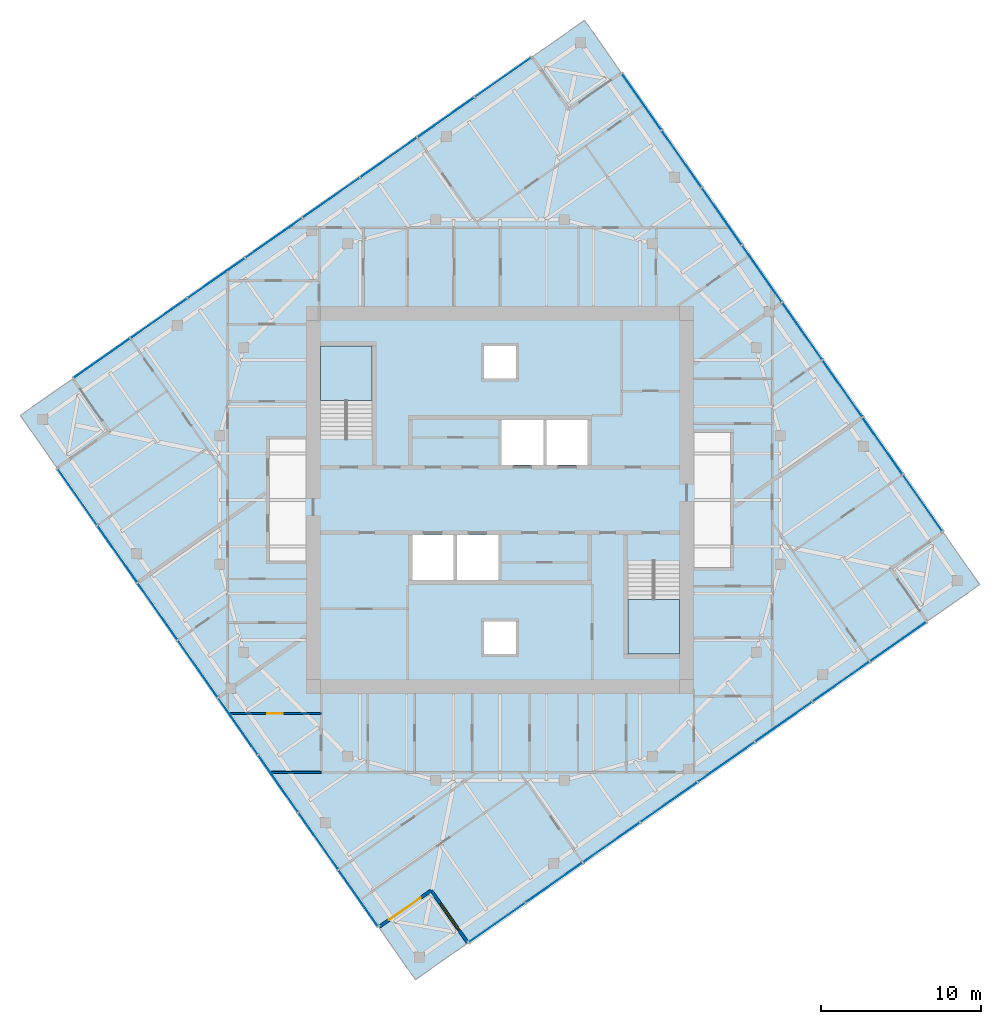
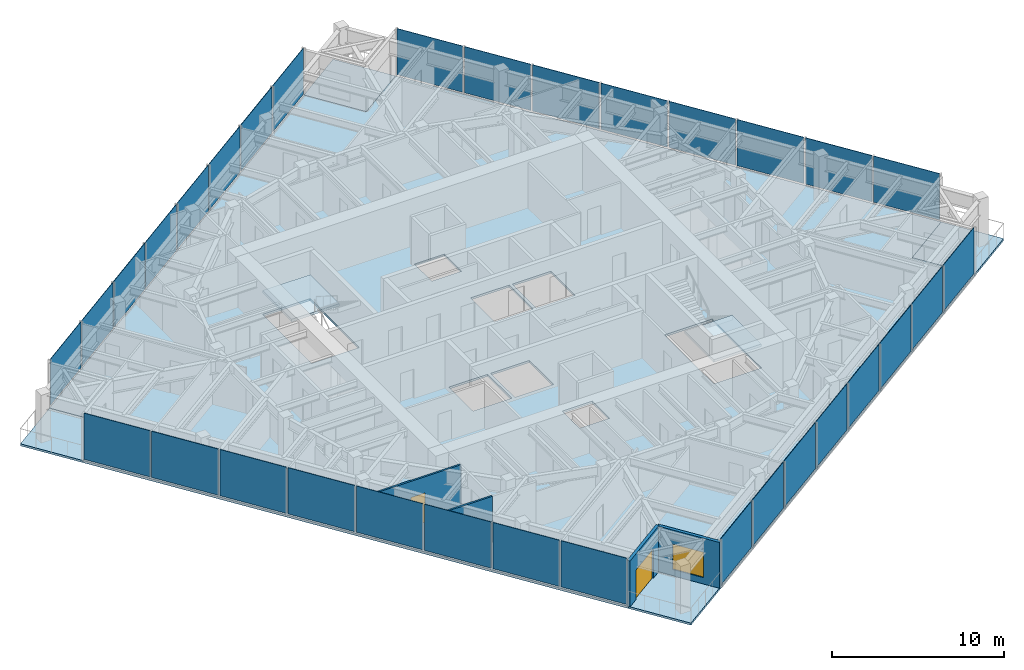
# One storey, part 6 of 12: 32 plates, 7 slabs, 4 walls, 2 doors, 1 window, 3 openings, 6 elements without a shape of their own.
"""IFC4 building model written with IfcOpenShell, lengths in metres."""

from ifc_helpers import new_model, si_unit, direction, frame, frame_2d, origin, origin_2d, place, context, subcontext, project, spatial, polyline, rectangle, outline, extrude, material, layer, layer_set, type_object, element, fill, aggregate, save


model = new_model("IFC4")

# Units and contexts
model_context = context("Model", 3, precision=1e-05, world=origin(), true_north=direction((0.0, 1.0)))
body_context = subcontext(model_context, "Body", "Model", "MODEL_VIEW")
ifc_project = project(units=[si_unit("LENGTHUNIT", "METRE"), si_unit("AREAUNIT", "SQUARE_METRE"), si_unit("VOLUMEUNIT", "CUBIC_METRE"), si_unit("PLANEANGLEUNIT", "RADIAN"), si_unit("MASSUNIT", "GRAM", prefix="KILO")], contexts=[model_context])

# Site, building, storey
site_placement = place(None, origin())
site = spatial("IfcSite", under=ifc_project, at=site_placement, CompositionType="ELEMENT")
building_placement = place(site_placement, origin())
building = spatial("IfcBuilding", under=site, at=building_placement, Name="Torsade Residences", CompositionType="ELEMENT")
storey_placement = place(building_placement, frame((0.0, 0.0, 240.39990234375)))
storey = spatial("IfcBuildingStorey", under=building, at=storey_placement, Name="L66", CompositionType="ELEMENT", Elevation=240.39990234375)

# Slab
ifc_material_1 = material(Name="Concrete 40 MPa", Category="concrete")
ifc_layer_1 = layer(ifc_material_1, 0.14990234375)
ifc_layer_set_1 = layer_set([ifc_layer_1], Name="Concrete 40 MPa")
slab_type_1 = type_object("IfcSlabType", Name="COMPOSITE FLOOR SLAB 150", PredefinedType="FLOOR", material=ifc_layer_set_1)
slab_1_placement = place(storey_placement, frame((0.0, 0.0, -0.14990234375)))
element("IfcSlab", 1, at=slab_1_placement, inside=storey, type_object=slab_type_1, Name="Floor slab L66", PredefinedType="FLOOR", context=body_context, shape_type="SweptSolid", body=[
    extrude(outline(polyline([(37.996826171875, 2.3505859375), (66.6669921875, 22.42578125), (64.372802734375, 25.702392578125), (67.6494140625, 27.996826171875), (47.57421875, 56.6669921875), (44.297607421875, 54.372802734375), (42.003173828125, 57.6494140625), (13.3330078125, 37.57421875), (15.627197265625, 34.297607421875), (12.3505859375, 32.003173828125), (32.42578125, 3.3330078125), (35.702392578125, 5.627197265625), (37.996826171875, 2.3505859375)]), holes=[polyline([(51.199951171875, 26.1201171875), (48.0, 26.1201171875), (48.0, 20.39990234375), (51.199951171875, 20.39990234375), (51.199951171875, 26.1201171875)]), polyline([(45.5, 35.0), (42.89990234375, 35.0), (42.89990234375, 32.199951171875), (45.5, 32.199951171875), (45.5, 35.0)]), polyline([(42.699951171875, 35.0), (40.10009765625, 35.0), (40.10009765625, 32.199951171875), (42.699951171875, 32.199951171875), (42.699951171875, 35.0)]), polyline([(41.0, 22.39990234375), (39.0, 22.39990234375), (39.0, 20.39990234375), (41.0, 20.39990234375), (41.0, 22.39990234375)]), polyline([(41.0, 39.60009765625), (39.0, 39.60009765625), (39.0, 37.60009765625), (41.0, 37.60009765625), (41.0, 39.60009765625)]), polyline([(39.89990234375, 27.800048828125), (37.300048828125, 27.800048828125), (37.300048828125, 25.0), (39.89990234375, 25.0), (39.89990234375, 27.800048828125)]), polyline([(37.10009765625, 27.800048828125), (34.5, 27.800048828125), (34.5, 25.0), (37.10009765625, 25.0), (37.10009765625, 27.800048828125)]), polyline([(32.0, 39.60009765625), (28.800048828125, 39.60009765625), (28.800048828125, 33.8798828125), (32.0, 33.8798828125), (32.0, 39.60009765625)])]), origin(), (0.0, 0.0, 1.0), 0.14990234375),
])

# Curtain wall, plates
ifc_material_2 = material(Name="Aluminium and glass", Category="aluminium")
curtain_wall_type = type_object("IfcCurtainWallType", Name="FRITTED GLASS CURTAIN WALL HIGH ZONE", PredefinedType="NOTDEFINED", material=ifc_material_2)
curtain_wall_1_placement = place(storey_placement, origin())
curtain_wall_1 = element("IfcCurtainWall", 2, at=curtain_wall_1_placement, inside=storey, type_object=curtain_wall_type, Name="Curtain wall L66 face 1", PredefinedType="NOTDEFINED")
ifc_material_3 = material(Name="Laminated glass", Category="glass")
ifc_layer_2 = layer(ifc_material_3, 0.031982421875)
ifc_layer_set_2 = layer_set([ifc_layer_2], Name="Laminated glass")
plate_type_1 = type_object("IfcPlateType", Name="FRITTED GLASS PANEL", PredefinedType="CURTAIN_PANEL", material=ifc_layer_set_2)
plate_1_placement = place(storey_placement, frame((39.80908203125, 3.61962890625, 0.1201171875), z_axis=(0.0, 0.0, 1.0), x_axis=(0.819152029353, 0.573576457682, 0.0)))
plate_1 = element("IfcPlate", 3, at=plate_1_placement, type_object=plate_type_1, Name="Panel 1", PredefinedType="CURTAIN_PANEL", context=body_context, shape_type="SweptSolid", body=[
    extrude(rectangle(XDim=4.22509765625, YDim=0.031982421875, at=origin_2d()), origin(), (0.0, 0.0, 1.0), 3.280029296875),
])
plate_2_placement = place(storey_placement, frame((46.956298828125, 8.6240234375, 0.1201171875), z_axis=(0.0, 0.0, 1.0), x_axis=(0.819152029353, 0.573576457682, 0.0)))
plate_2 = element("IfcPlate", 4, at=plate_2_placement, type_object=plate_type_1, Name="Panel 3", PredefinedType="CURTAIN_PANEL", context=body_context, shape_type="SweptSolid", body=[
    extrude(rectangle(XDim=4.27490234375, YDim=0.031982421875, at=origin_2d()), origin(), (0.0, 0.0, 1.0), 3.280029296875),
])
plate_3_placement = place(storey_placement, frame((50.5400390625, 11.133544921875, 0.1201171875), z_axis=(0.0, 0.0, 1.0), x_axis=(0.819152029353, 0.573576457682, 0.0)))
plate_3 = element("IfcPlate", 5, at=plate_3_placement, type_object=plate_type_1, Name="Panel 4", PredefinedType="CURTAIN_PANEL", context=body_context, shape_type="SweptSolid", body=[
    extrude(rectangle(XDim=4.27490234375, YDim=0.031982421875, at=origin_2d()), origin(), (0.0, 0.0, 1.0), 3.280029296875),
])
plate_4_placement = place(storey_placement, frame((54.123779296875, 13.642822265625, 0.1201171875), z_axis=(0.0, 0.0, 1.0), x_axis=(0.819152029353, 0.573576457682, 0.0)))
plate_4 = element("IfcPlate", 6, at=plate_4_placement, type_object=plate_type_1, Name="Panel 5", PredefinedType="CURTAIN_PANEL", context=body_context, shape_type="SweptSolid", body=[
    extrude(rectangle(XDim=4.27490234375, YDim=0.031982421875, at=origin_2d()), origin(), (0.0, 0.0, 1.0), 3.280029296875),
])
plate_5_placement = place(storey_placement, frame((61.291259765625, 18.66162109375, 0.1201171875), z_axis=(0.0, 0.0, 1.0), x_axis=(0.819152029353, 0.573576457682, 0.0)))
plate_5 = element("IfcPlate", 7, at=plate_5_placement, type_object=plate_type_1, Name="Panel 7", PredefinedType="CURTAIN_PANEL", context=body_context, shape_type="SweptSolid", body=[
    extrude(rectangle(XDim=4.27490234375, YDim=0.031982421875, at=origin_2d()), origin(), (0.0, 0.0, 1.0), 3.280029296875),
])
plate_6_placement = place(storey_placement, frame((64.854736328125, 21.15673828125, 0.1201171875), z_axis=(0.0, 0.0, 1.0), x_axis=(0.819152029353, 0.573576457682, 0.0)))
plate_6 = element("IfcPlate", 8, at=plate_6_placement, type_object=plate_type_1, Name="Panel 8", PredefinedType="CURTAIN_PANEL", context=body_context, shape_type="SweptSolid", body=[
    extrude(rectangle(XDim=4.22509765625, YDim=0.031982421875, at=origin_2d()), origin(), (0.0, 0.0, 1.0), 3.280029296875),
])

curtain_wall_2_placement = place(storey_placement, origin())
curtain_wall_2 = element("IfcCurtainWall", 9, at=curtain_wall_2_placement, inside=storey, type_object=curtain_wall_type, Name="Curtain wall L66 face 4", PredefinedType="NOTDEFINED")
plate_7_placement = place(storey_placement, frame((66.38037109375, 29.80908203125, 0.1201171875), z_axis=(0.0, 0.0, 1.0), x_axis=(-0.573576457682, 0.819152029353, 0.0)))
plate_7 = element("IfcPlate", 10, at=plate_7_placement, type_object=plate_type_1, Name="Panel 1", PredefinedType="CURTAIN_PANEL", context=body_context, shape_type="SweptSolid", body=[
    extrude(rectangle(XDim=4.22509765625, YDim=0.031982421875, at=origin_2d()), origin(), (0.0, 0.0, 1.0), 3.280029296875),
])
plate_8_placement = place(storey_placement, frame((61.3759765625, 36.956298828125, 0.1201171875), z_axis=(0.0, 0.0, 1.0), x_axis=(-0.573576457682, 0.819152029353, 0.0)))
plate_8 = element("IfcPlate", 11, at=plate_8_placement, type_object=plate_type_1, Name="Panel 3", PredefinedType="CURTAIN_PANEL", context=body_context, shape_type="SweptSolid", body=[
    extrude(rectangle(XDim=4.27490234375, YDim=0.031982421875, at=origin_2d()), origin(), (0.0, 0.0, 1.0), 3.280029296875),
])
plate_9_placement = place(storey_placement, frame((58.866455078125, 40.5400390625, 0.1201171875), z_axis=(0.0, 0.0, 1.0), x_axis=(-0.573576457682, 0.819152029353, 0.0)))
plate_9 = element("IfcPlate", 12, at=plate_9_placement, type_object=plate_type_1, Name="Panel 4", PredefinedType="CURTAIN_PANEL", context=body_context, shape_type="SweptSolid", body=[
    extrude(rectangle(XDim=4.27490234375, YDim=0.031982421875, at=origin_2d()), origin(), (0.0, 0.0, 1.0), 3.280029296875),
])
plate_10_placement = place(storey_placement, frame((56.357177734375, 44.123779296875, 0.1201171875), z_axis=(0.0, 0.0, 1.0), x_axis=(-0.573576457682, 0.819152029353, 0.0)))
plate_10 = element("IfcPlate", 13, at=plate_10_placement, type_object=plate_type_1, Name="Panel 5", PredefinedType="CURTAIN_PANEL", context=body_context, shape_type="SweptSolid", body=[
    extrude(rectangle(XDim=4.27490234375, YDim=0.031982421875, at=origin_2d()), origin(), (0.0, 0.0, 1.0), 3.280029296875),
])
plate_11_placement = place(storey_placement, frame((51.33837890625, 51.291259765625, 0.1201171875), z_axis=(0.0, 0.0, 1.0), x_axis=(-0.573576457682, 0.819152029353, 0.0)))
plate_11 = element("IfcPlate", 14, at=plate_11_placement, type_object=plate_type_1, Name="Panel 7", PredefinedType="CURTAIN_PANEL", context=body_context, shape_type="SweptSolid", body=[
    extrude(rectangle(XDim=4.27490234375, YDim=0.031982421875, at=origin_2d()), origin(), (0.0, 0.0, 1.0), 3.280029296875),
])
plate_12_placement = place(storey_placement, frame((48.84326171875, 54.854736328125, 0.1201171875), z_axis=(0.0, 0.0, 1.0), x_axis=(-0.573576457682, 0.819152029353, 0.0)))
plate_12 = element("IfcPlate", 15, at=plate_12_placement, type_object=plate_type_1, Name="Panel 8", PredefinedType="CURTAIN_PANEL", context=body_context, shape_type="SweptSolid", body=[
    extrude(rectangle(XDim=4.22509765625, YDim=0.031982421875, at=origin_2d()), origin(), (0.0, 0.0, 1.0), 3.280029296875),
])

curtain_wall_3_placement = place(storey_placement, origin())
curtain_wall_3 = element("IfcCurtainWall", 16, at=curtain_wall_3_placement, inside=storey, type_object=curtain_wall_type, Name="Curtain wall L66 face 7", PredefinedType="NOTDEFINED")
plate_13_placement = place(storey_placement, frame((40.19091796875, 56.38037109375, 0.1201171875), z_axis=(0.0, 0.0, 1.0), x_axis=(-0.819152029353, -0.573576457682, 0.0)))
plate_13 = element("IfcPlate", 17, at=plate_13_placement, type_object=plate_type_1, Name="Panel 1", PredefinedType="CURTAIN_PANEL", context=body_context, shape_type="SweptSolid", body=[
    extrude(rectangle(XDim=4.22509765625, YDim=0.031982421875, at=origin_2d()), origin(), (0.0, 0.0, 1.0), 3.280029296875),
])
plate_14_placement = place(storey_placement, frame((33.043701171875, 51.3759765625, 0.1201171875), z_axis=(0.0, 0.0, 1.0), x_axis=(-0.819152029353, -0.573576457682, 0.0)))
plate_14 = element("IfcPlate", 18, at=plate_14_placement, type_object=plate_type_1, Name="Panel 3", PredefinedType="CURTAIN_PANEL", context=body_context, shape_type="SweptSolid", body=[
    extrude(rectangle(XDim=4.27490234375, YDim=0.031982421875, at=origin_2d()), origin(), (0.0, 0.0, 1.0), 3.280029296875),
])
plate_15_placement = place(storey_placement, frame((29.4599609375, 48.866455078125, 0.1201171875), z_axis=(0.0, 0.0, 1.0), x_axis=(-0.819152029353, -0.573576457682, 0.0)))
plate_15 = element("IfcPlate", 19, at=plate_15_placement, type_object=plate_type_1, Name="Panel 4", PredefinedType="CURTAIN_PANEL", context=body_context, shape_type="SweptSolid", body=[
    extrude(rectangle(XDim=4.27490234375, YDim=0.031982421875, at=origin_2d()), origin(), (0.0, 0.0, 1.0), 3.280029296875),
])
plate_16_placement = place(storey_placement, frame((25.876220703125, 46.357177734375, 0.1201171875), z_axis=(0.0, 0.0, 1.0), x_axis=(-0.819152029353, -0.573576457682, 0.0)))
plate_16 = element("IfcPlate", 20, at=plate_16_placement, type_object=plate_type_1, Name="Panel 5", PredefinedType="CURTAIN_PANEL", context=body_context, shape_type="SweptSolid", body=[
    extrude(rectangle(XDim=4.27490234375, YDim=0.031982421875, at=origin_2d()), origin(), (0.0, 0.0, 1.0), 3.280029296875),
])
plate_17_placement = place(storey_placement, frame((18.708740234375, 41.33837890625, 0.1201171875), z_axis=(0.0, 0.0, 1.0), x_axis=(-0.819152029353, -0.573576457682, 0.0)))
plate_17 = element("IfcPlate", 21, at=plate_17_placement, type_object=plate_type_1, Name="Panel 7", PredefinedType="CURTAIN_PANEL", context=body_context, shape_type="SweptSolid", body=[
    extrude(rectangle(XDim=4.27490234375, YDim=0.031982421875, at=origin_2d()), origin(), (0.0, 0.0, 1.0), 3.280029296875),
])
plate_18_placement = place(storey_placement, frame((15.145263671875, 38.84326171875, 0.1201171875), z_axis=(0.0, 0.0, 1.0), x_axis=(-0.819152029353, -0.573576457682, 0.0)))
plate_18 = element("IfcPlate", 22, at=plate_18_placement, type_object=plate_type_1, Name="Panel 8", PredefinedType="CURTAIN_PANEL", context=body_context, shape_type="SweptSolid", body=[
    extrude(rectangle(XDim=4.22509765625, YDim=0.031982421875, at=origin_2d()), origin(), (0.0, 0.0, 1.0), 3.280029296875),
])

curtain_wall_4_placement = place(storey_placement, origin())
curtain_wall_4 = element("IfcCurtainWall", 23, at=curtain_wall_4_placement, inside=storey, type_object=curtain_wall_type, Name="Curtain wall L66 face 10", PredefinedType="NOTDEFINED")
plate_19_placement = place(storey_placement, frame((13.61962890625, 30.19091796875, 0.1201171875), z_axis=(0.0, 0.0, 1.0), x_axis=(0.573576457682, -0.819152029353, 0.0)))
plate_19 = element("IfcPlate", 24, at=plate_19_placement, type_object=plate_type_1, Name="Panel 1", PredefinedType="CURTAIN_PANEL", context=body_context, shape_type="SweptSolid", body=[
    extrude(rectangle(XDim=4.22509765625, YDim=0.031982421875, at=origin_2d()), origin(), (0.0, 0.0, 1.0), 3.280029296875),
])
plate_20_placement = place(storey_placement, frame((18.6240234375, 23.043701171875, 0.1201171875), z_axis=(0.0, 0.0, 1.0), x_axis=(0.573576457682, -0.819152029353, 0.0)))
plate_20 = element("IfcPlate", 25, at=plate_20_placement, type_object=plate_type_1, Name="Panel 3", PredefinedType="CURTAIN_PANEL", context=body_context, shape_type="SweptSolid", body=[
    extrude(rectangle(XDim=4.27490234375, YDim=0.031982421875, at=origin_2d()), origin(), (0.0, 0.0, 1.0), 3.280029296875),
])
plate_21_placement = place(storey_placement, frame((21.133544921875, 19.4599609375, 0.1201171875), z_axis=(0.0, 0.0, 1.0), x_axis=(0.573576457682, -0.819152029353, 0.0)))
plate_21 = element("IfcPlate", 26, at=plate_21_placement, type_object=plate_type_1, Name="Panel 4", PredefinedType="CURTAIN_PANEL", context=body_context, shape_type="SweptSolid", body=[
    extrude(rectangle(XDim=4.27490234375, YDim=0.031982421875, at=origin_2d()), origin(), (0.0, 0.0, 1.0), 3.280029296875),
])
plate_22_placement = place(storey_placement, frame((23.642822265625, 15.876220703125, 0.1201171875), z_axis=(0.0, 0.0, 1.0), x_axis=(0.573576457682, -0.819152029353, 0.0)))
plate_22 = element("IfcPlate", 27, at=plate_22_placement, type_object=plate_type_1, Name="Panel 5", PredefinedType="CURTAIN_PANEL", context=body_context, shape_type="SweptSolid", body=[
    extrude(rectangle(XDim=4.27490234375, YDim=0.031982421875, at=origin_2d()), origin(), (0.0, 0.0, 1.0), 3.280029296875),
])
plate_23_placement = place(storey_placement, frame((28.66162109375, 8.708740234375, 0.1201171875), z_axis=(0.0, 0.0, 1.0), x_axis=(0.573576457682, -0.819152029353, 0.0)))
plate_23 = element("IfcPlate", 28, at=plate_23_placement, type_object=plate_type_1, Name="Panel 7", PredefinedType="CURTAIN_PANEL", context=body_context, shape_type="SweptSolid", body=[
    extrude(rectangle(XDim=4.27490234375, YDim=0.031982421875, at=origin_2d()), origin(), (0.0, 0.0, 1.0), 3.280029296875),
])
plate_24_placement = place(storey_placement, frame((31.15673828125, 5.145263671875, 0.1201171875), z_axis=(0.0, 0.0, 1.0), x_axis=(0.573576457682, -0.819152029353, 0.0)))
plate_24 = element("IfcPlate", 29, at=plate_24_placement, type_object=plate_type_1, Name="Panel 8", PredefinedType="CURTAIN_PANEL", context=body_context, shape_type="SweptSolid", body=[
    extrude(rectangle(XDim=4.22509765625, YDim=0.031982421875, at=origin_2d()), origin(), (0.0, 0.0, 1.0), 3.280029296875),
])

# Plate
ifc_material_4 = material(Name="Laminated glass", Category="glass")
ifc_layer_3 = layer(ifc_material_4, 0.0400390625)
ifc_layer_set_3 = layer_set([ifc_layer_3], Name="Laminated glass")
plate_type_2 = type_object("IfcPlateType", Name="OPERABLE VENT PANEL", PredefinedType="CURTAIN_PANEL", material=ifc_layer_set_3)
plate_25_placement = place(storey_placement, frame((43.372314453125, 6.11474609375, 0.1201171875), z_axis=(0.0, 0.0, 1.0), x_axis=(0.819152029353, 0.573576457682, 0.0)))
plate_25 = element("IfcPlate", 30, at=plate_25_placement, type_object=plate_type_2, Name="Panel 2", PredefinedType="CURTAIN_PANEL", context=body_context, shape_type="SweptSolid", body=[
    extrude(rectangle(XDim=4.27490234375, YDim=0.0400390625, at=origin_2d()), origin(), (0.0, 0.0, 1.0), 3.280029296875),
])

plate_26_placement = place(storey_placement, frame((57.70751953125, 16.15234375, 0.1201171875), z_axis=(0.0, 0.0, 1.0), x_axis=(0.819152029353, 0.573576457682, 0.0)))
plate_26 = element("IfcPlate", 31, at=plate_26_placement, type_object=plate_type_2, Name="Panel 6", PredefinedType="CURTAIN_PANEL", context=body_context, shape_type="SweptSolid", body=[
    extrude(rectangle(XDim=4.27490234375, YDim=0.0400390625, at=origin_2d()), origin(), (0.0, 0.0, 1.0), 3.280029296875),
])

aggregate(curtain_wall_1, [plate_1, plate_25, plate_2, plate_3, plate_4, plate_26, plate_5, plate_6])

plate_27_placement = place(storey_placement, frame((63.88525390625, 33.372314453125, 0.1201171875), z_axis=(0.0, 0.0, 1.0), x_axis=(-0.573576457682, 0.819152029353, 0.0)))
plate_27 = element("IfcPlate", 32, at=plate_27_placement, type_object=plate_type_2, Name="Panel 2", PredefinedType="CURTAIN_PANEL", context=body_context, shape_type="SweptSolid", body=[
    extrude(rectangle(XDim=4.27490234375, YDim=0.0400390625, at=origin_2d()), origin(), (0.0, 0.0, 1.0), 3.280029296875),
])

plate_28_placement = place(storey_placement, frame((53.84765625, 47.70751953125, 0.1201171875), z_axis=(0.0, 0.0, 1.0), x_axis=(-0.573576457682, 0.819152029353, 0.0)))
plate_28 = element("IfcPlate", 33, at=plate_28_placement, type_object=plate_type_2, Name="Panel 6", PredefinedType="CURTAIN_PANEL", context=body_context, shape_type="SweptSolid", body=[
    extrude(rectangle(XDim=4.27490234375, YDim=0.0400390625, at=origin_2d()), origin(), (0.0, 0.0, 1.0), 3.280029296875),
])

aggregate(curtain_wall_2, [plate_7, plate_27, plate_8, plate_9, plate_10, plate_28, plate_11, plate_12])

plate_29_placement = place(storey_placement, frame((36.627685546875, 53.88525390625, 0.1201171875), z_axis=(0.0, 0.0, 1.0), x_axis=(-0.819152029353, -0.573576457682, 0.0)))
plate_29 = element("IfcPlate", 34, at=plate_29_placement, type_object=plate_type_2, Name="Panel 2", PredefinedType="CURTAIN_PANEL", context=body_context, shape_type="SweptSolid", body=[
    extrude(rectangle(XDim=4.27490234375, YDim=0.0400390625, at=origin_2d()), origin(), (0.0, 0.0, 1.0), 3.280029296875),
])

plate_30_placement = place(storey_placement, frame((22.29248046875, 43.84765625, 0.1201171875), z_axis=(0.0, 0.0, 1.0), x_axis=(-0.819152029353, -0.573576457682, 0.0)))
plate_30 = element("IfcPlate", 35, at=plate_30_placement, type_object=plate_type_2, Name="Panel 6", PredefinedType="CURTAIN_PANEL", context=body_context, shape_type="SweptSolid", body=[
    extrude(rectangle(XDim=4.27490234375, YDim=0.0400390625, at=origin_2d()), origin(), (0.0, 0.0, 1.0), 3.280029296875),
])

aggregate(curtain_wall_3, [plate_13, plate_29, plate_14, plate_15, plate_16, plate_30, plate_17, plate_18])

plate_31_placement = place(storey_placement, frame((16.11474609375, 26.627685546875, 0.1201171875), z_axis=(0.0, 0.0, 1.0), x_axis=(0.573576457682, -0.819152029353, 0.0)))
plate_31 = element("IfcPlate", 36, at=plate_31_placement, type_object=plate_type_2, Name="Panel 2", PredefinedType="CURTAIN_PANEL", context=body_context, shape_type="SweptSolid", body=[
    extrude(rectangle(XDim=4.27490234375, YDim=0.0400390625, at=origin_2d()), origin(), (0.0, 0.0, 1.0), 3.280029296875),
])

plate_32_placement = place(storey_placement, frame((26.15234375, 12.29248046875, 0.1201171875), z_axis=(0.0, 0.0, 1.0), x_axis=(0.573576457682, -0.819152029353, 0.0)))
plate_32 = element("IfcPlate", 37, at=plate_32_placement, type_object=plate_type_2, Name="Panel 6", PredefinedType="CURTAIN_PANEL", context=body_context, shape_type="SweptSolid", body=[
    extrude(rectangle(XDim=4.27490234375, YDim=0.0400390625, at=origin_2d()), origin(), (0.0, 0.0, 1.0), 3.280029296875),
])

aggregate(curtain_wall_4, [plate_19, plate_31, plate_20, plate_21, plate_22, plate_32, plate_23, plate_24])

# Stair, slab
ifc_material_5 = material(Name="Precast concrete 40 MPa", Category="concrete")
stair_type = type_object("IfcStairType", Name="HALF-TURN FIRE STAIR 1500x3400", PredefinedType="HALF_TURN_STAIR", material=ifc_material_5)
stair_1_placement = place(storey_placement, origin())
stair_1 = element("IfcStair", 38, at=stair_1_placement, inside=storey, type_object=stair_type, Name="Stair ST1 L66", PredefinedType="HALF_TURN_STAIR")
ifc_material_6 = material(Name="Precast concrete 40 MPa", Category="concrete")
ifc_layer_4 = layer(ifc_material_6, 0.179931640625)
ifc_layer_set_4 = layer_set([ifc_layer_4], Name="Precast concrete 40 MPa")
slab_type_2 = type_object("IfcSlabType", Name="PRECAST STAIR LANDING 180", PredefinedType="LANDING", material=ifc_layer_set_4)
slab_2_placement = place(storey_placement, frame((0.0, 0.0, 1.52001953125)))
slab_2 = element("IfcSlab", 39, at=slab_2_placement, type_object=slab_type_2, Name="ST1 landing 1", PredefinedType="LANDING", context=body_context, shape_type="SweptSolid", body=[
    extrude(outline(polyline([(28.800048828125, 36.2099609375), (32.0, 36.2099609375), (32.0, 39.60009765625), (28.800048828125, 39.60009765625), (28.800048828125, 36.2099609375)])), origin(), (0.0, 0.0, 1.0), 0.18017578125),
])
aggregate(stair_1, [slab_2])

stair_2_placement = place(storey_placement, origin())
stair_2 = element("IfcStair", 40, at=stair_2_placement, inside=storey, type_object=stair_type, Name="Stair ST2 L66", PredefinedType="HALF_TURN_STAIR")
slab_3_placement = place(storey_placement, frame((0.0, 0.0, 1.52001953125)))
slab_3 = element("IfcSlab", 41, at=slab_3_placement, type_object=slab_type_2, Name="ST2 landing 1", PredefinedType="LANDING", context=body_context, shape_type="SweptSolid", body=[
    extrude(outline(polyline([(48.0, 20.39990234375), (51.199951171875, 20.39990234375), (51.199951171875, 23.7900390625), (48.0, 23.7900390625), (48.0, 20.39990234375)])), origin(), (0.0, 0.0, 1.0), 0.18017578125),
])
aggregate(stair_2, [slab_3])

# Slabs
ifc_material_7 = material(Name="Concrete 40 MPa", Category="concrete")
ifc_layer_5 = layer(ifc_material_7, 0.14990234375)
ifc_layer_set_5 = layer_set([ifc_layer_5], Name="Concrete 40 MPa")
slab_type_3 = type_object("IfcSlabType", Name="TERRACE SLAB 150", PredefinedType="FLOOR", material=ifc_layer_set_5)
slab_4_placement = place(storey_placement, frame((0.0, 0.0, -0.14990234375)))
element("IfcSlab", 42, at=slab_4_placement, inside=storey, type_object=slab_type_3, Name="Corner terrace slab SE L66", PredefinedType="FLOOR", context=body_context, shape_type="SweptSolid", body=[
    extrude(outline(polyline([(66.6669921875, 22.42578125), (69.943603515625, 24.72021484375), (67.6494140625, 27.996826171875), (64.372802734375, 25.702392578125), (66.6669921875, 22.42578125)])), origin(), (0.0, 0.0, 1.0), 0.14990234375),
])
slab_5_placement = place(storey_placement, frame((0.0, 0.0, -0.14990234375)))
element("IfcSlab", 43, at=slab_5_placement, inside=storey, type_object=slab_type_3, Name="Corner terrace slab NE L66", PredefinedType="FLOOR", context=body_context, shape_type="SweptSolid", body=[
    extrude(outline(polyline([(44.297607421875, 54.372802734375), (47.57421875, 56.6669921875), (45.27978515625, 59.943603515625), (42.003173828125, 57.6494140625), (44.297607421875, 54.372802734375)])), origin(), (0.0, 0.0, 1.0), 0.14990234375),
])
slab_6_placement = place(storey_placement, frame((0.0, 0.0, -0.14990234375)))
element("IfcSlab", 44, at=slab_6_placement, inside=storey, type_object=slab_type_3, Name="Corner terrace slab NW L66", PredefinedType="FLOOR", context=body_context, shape_type="SweptSolid", body=[
    extrude(outline(polyline([(12.3505859375, 32.003173828125), (15.627197265625, 34.297607421875), (13.3330078125, 37.57421875), (10.056396484375, 35.27978515625), (12.3505859375, 32.003173828125)])), origin(), (0.0, 0.0, 1.0), 0.14990234375),
])
slab_7_placement = place(storey_placement, frame((0.0, 0.0, -0.14990234375)))
element("IfcSlab", 45, at=slab_7_placement, inside=storey, type_object=slab_type_3, Name="Corner terrace slab SW L66", PredefinedType="FLOOR", context=body_context, shape_type="SweptSolid", body=[
    extrude(outline(polyline([(34.72021484375, 0.056396484375), (37.996826171875, 2.3505859375), (35.702392578125, 5.627197265625), (32.42578125, 3.3330078125), (34.72021484375, 0.056396484375)])), origin(), (0.0, 0.0, 1.0), 0.14990234375),
])

# Wall, opening, door
ifc_material_8 = material(Name="Plasterboard on steel stud", Category="steel")
ifc_layer_6 = layer(ifc_material_8, 0.1201171875)
ifc_layer_set_6 = layer_set([ifc_layer_6], Name="Plasterboard on steel stud")
wall_type_1 = type_object("IfcWallType", Name="PARTITION 120", PredefinedType="PARTITIONING", material=ifc_layer_set_6)
wall_1_placement = place(storey_placement, frame((28.83740234375, 16.67333984375, 0.0), z_axis=(0.0, 0.0, 1.0), x_axis=(-1.0, 0.0, 0.0)))
wall_1 = element("IfcWall", 46, at=wall_1_placement, inside=storey, type_object=wall_type_1, Name="Partition L66", PredefinedType="PARTITIONING", context=body_context, shape_type="SweptSolid", body=[
    extrude(rectangle(XDim=5.703857421875, YDim=0.1201171875, at=frame_2d((2.85205078125, 0.0))), origin(), (0.0, 0.0, 1.0), 3.25),
])
opening_1_placement = place(wall_1_placement, frame((2.396484375, 0.0, 0.0)))
opening_1 = element("IfcOpeningElement", 47, at=opening_1_placement, cuts=wall_1, Name="Opening D05", PredefinedType="OPENING", context=body_context, shape_type="SweptSolid", body=[
    extrude(rectangle(XDim=0.9599609375, YDim=2.10009765625, at=frame_2d((0.47998046875, 1.050048828125))), frame((0.0, 0.070068359375, 0.0), z_axis=(0.0, -1.0, 0.0), x_axis=(1.0, 0.0, 0.0)), (0.0, 0.0, 1.0), 0.14013671875),
])
ifc_material_9 = material(Name="Hollow-core timber door in a steel cavity frame", Category="steel")
door_type_1 = type_object("IfcDoorType", Name="BATHROOM CAVITY SLIDING DOOR 960", OperationType="SLIDING_TO_LEFT", PredefinedType="DOOR", material=ifc_material_9)
door_1_placement = place(opening_1_placement, origin())
door_1 = element("IfcDoor", 48, at=door_1_placement, inside=storey, type_object=door_type_1, Name="Door Dressing room to Bathroom", OperationType="SLIDING_TO_LEFT", OverallHeight=2.10009765625, OverallWidth=0.9599609375, PredefinedType="DOOR", context=body_context, shape_type="SweptSolid", body=[
    extrude(rectangle(XDim=0.9599609375, YDim=2.10009765625, at=frame_2d((0.47998046875, 1.050048828125))), frame((0.0, 0.02490234375, 0.0), z_axis=(0.0, -1.0, 0.0), x_axis=(1.0, 0.0, 0.0)), (0.0, 0.0, 1.0), 0.050048828125),
])
fill(opening_1, door_1)

# Wall
wall_2_placement = place(storey_placement, frame((28.83740234375, 13.0, 0.0), z_axis=(0.0, 0.0, 1.0), x_axis=(-1.0, 0.0, 0.0)))
element("IfcWall", 49, at=wall_2_placement, inside=storey, type_object=wall_type_1, Name="Partition L66", PredefinedType="PARTITIONING", context=body_context, shape_type="SweptSolid", body=[
    extrude(rectangle(XDim=3.131591796875, YDim=0.1201171875, at=frame_2d((1.56591796875, 0.0))), origin(), (0.0, 0.0, 1.0), 3.25),
])

# Wall, opening, door
ifc_material_10 = material(Name="Stone-faced precast concrete 40 MPa panel", Category="masonry")
ifc_layer_7 = layer(ifc_material_10, 0.199951171875)
ifc_layer_set_7 = layer_set([ifc_layer_7], Name="Stone-faced precast concrete 40 MPa panel")
wall_type_2 = type_object("IfcWallType", Name="TERRACE WALL 200", PredefinedType="SOLIDWALL", material=ifc_layer_set_7)
wall_3_placement = place(storey_placement, frame((32.42578125, 3.3330078125, 0.0), z_axis=(0.0, 0.0, 1.0), x_axis=(0.819165963305, 0.573556557423, 0.0)))
wall_3 = element("IfcWall", 50, at=wall_3_placement, inside=storey, type_object=wall_type_2, Name="Terrace wall L66 11", PredefinedType="SOLIDWALL", context=body_context, shape_type="SweptSolid", body=[
    extrude(rectangle(XDim=4.0, YDim=0.199951171875, at=frame_2d((2.0, 0.0))), origin(), (0.0, 0.0, 1.0), 3.25),
])
opening_2_placement = place(wall_3_placement, frame((0.800048828125, 0.0, 0.0)))
opening_2 = element("IfcOpeningElement", 51, at=opening_2_placement, cuts=wall_3, Name="Opening D10A", PredefinedType="OPENING", context=body_context, shape_type="SweptSolid", body=[
    extrude(rectangle(XDim=2.39990234375, YDim=2.10009765625, at=frame_2d((1.199951171875, 1.050048828125))), frame((0.0, 0.10986328125, 0.0), z_axis=(0.0, -1.0, 0.0), x_axis=(1.0, 0.0, 0.0)), (0.0, 0.0, 1.0), 0.219970703125),
])
ifc_material_11 = material(Name="Aluminium-framed glass door", Category="aluminium")
door_type_2 = type_object("IfcDoorType", Name="TERRACE SLIDING DOOR 2400x2100", OperationType="SLIDING_TO_LEFT", PredefinedType="DOOR", material=ifc_material_11)
door_2_placement = place(opening_2_placement, origin())
door_2 = element("IfcDoor", 52, at=door_2_placement, inside=storey, type_object=door_type_2, Name="Terrace door L66 11", OperationType="SLIDING_TO_LEFT", OverallHeight=2.10009765625, OverallWidth=2.39990234375, PredefinedType="DOOR", context=body_context, shape_type="SweptSolid", body=[
    extrude(rectangle(XDim=2.39990234375, YDim=2.10009765625, at=frame_2d((1.199951171875, 1.050048828125))), frame((0.0, 0.02490234375, 0.0), z_axis=(0.0, -1.0, 0.0), x_axis=(1.0, 0.0, 0.0)), (0.0, 0.0, 1.0), 0.050048828125),
])
fill(opening_2, door_2)

# Wall, opening, window
wall_4_placement = place(storey_placement, frame((35.702392578125, 5.627197265625, 0.0), z_axis=(0.0, 0.0, 1.0), x_axis=(0.573597512525, -0.819137286189, 0.0)))
wall_4 = element("IfcWall", 53, at=wall_4_placement, inside=storey, type_object=wall_type_2, Name="Terrace wall L66 12", PredefinedType="SOLIDWALL", context=body_context, shape_type="SweptSolid", body=[
    extrude(rectangle(XDim=4.0, YDim=0.199951171875, at=frame_2d((2.0, 0.0))), origin(), (0.0, 0.0, 1.0), 3.25),
])
opening_3_placement = place(wall_4_placement, frame((1.0, 0.0, 0.449951171875)))
opening_3 = element("IfcOpeningElement", 54, at=opening_3_placement, cuts=wall_4, Name="Opening W1B", PredefinedType="OPENING", context=body_context, shape_type="SweptSolid", body=[
    extrude(rectangle(XDim=2.0, YDim=1.800048828125, at=frame_2d((1.0, 0.89990234375))), frame((0.0, 0.10986328125, 0.0), z_axis=(0.0, -1.0, 0.0), x_axis=(1.0, 0.0, 0.0)), (0.0, 0.0, 1.0), 0.219970703125),
])
ifc_material_12 = material(Name="Aluminium-framed glass window", Category="aluminium")
window_type = type_object("IfcWindowType", Name="TERRACE WINDOW 2000x1800", PartitioningType="SINGLE_PANEL", PredefinedType="WINDOW", material=ifc_material_12)
window_placement = place(opening_3_placement, origin())
window = element("IfcWindow", 55, at=window_placement, inside=storey, type_object=window_type, Name="Terrace window L66 12", OverallHeight=1.800048828125, OverallWidth=2.0, PartitioningType="SINGLE_PANEL", PredefinedType="WINDOW", context=body_context, shape_type="SweptSolid", body=[
    extrude(rectangle(XDim=2.0, YDim=1.800048828125, at=frame_2d((1.0, 0.89990234375))), frame((0.0, 0.030029296875, 0.0), z_axis=(0.0, -1.0, 0.0), x_axis=(1.0, 0.0, 0.0)), (0.0, 0.0, 1.0), 0.06005859375),
])
fill(opening_3, window)

save(model, "model.ifc")
